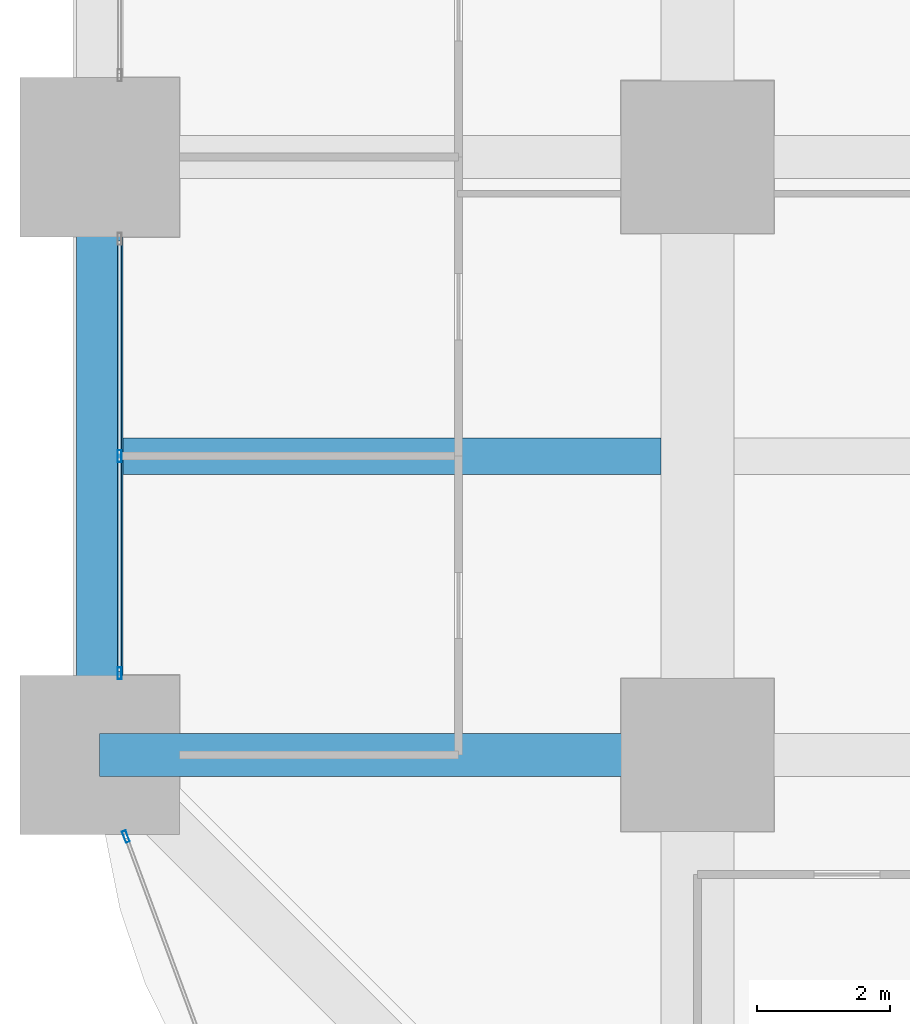
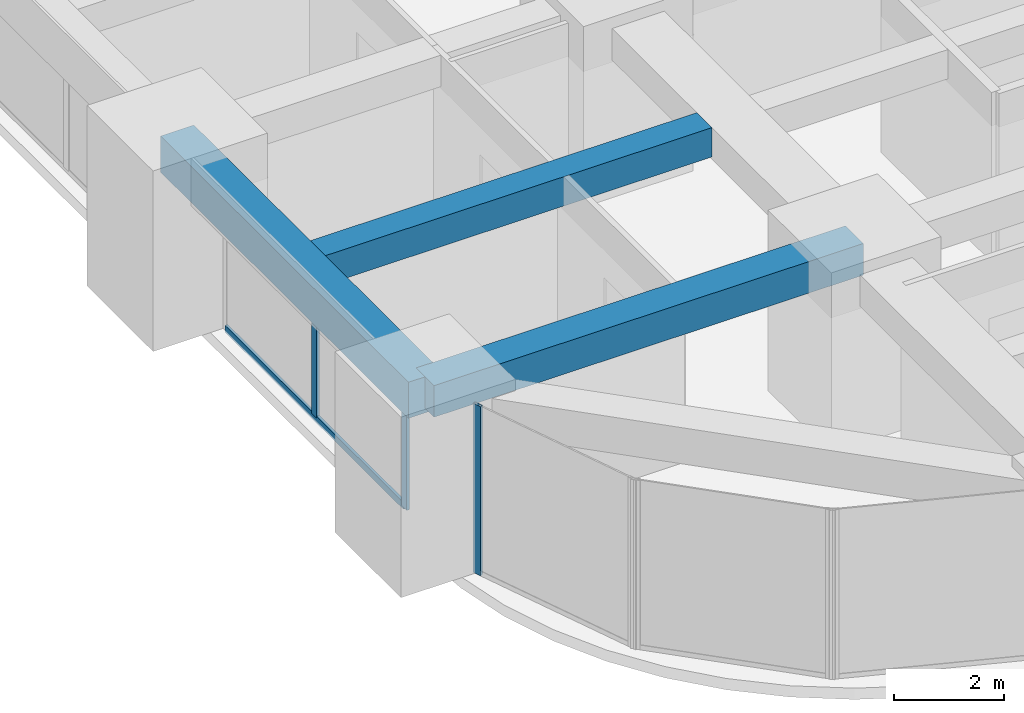
# One storey, part 4 of 44: 4 members, 3 beams, 2 elements without a shape of their own.
"""IFC4 building model written with IfcOpenShell, lengths in metres."""

from ifc_helpers import new_model, si_unit, direction, frame, origin, origin_2d, place, context, subcontext, project, spatial, rectangle, hollow_rectangle, extrude, material, material_profile, profile_set, type_object, element, aggregate, save


model = new_model("IFC4")

# Units and contexts
model_context = context("Model", 3, precision=1e-05, world=origin(), true_north=direction((0.0, 1.0)))
body_context = subcontext(model_context, "Body", "Model", "MODEL_VIEW")
ifc_project = project(units=[si_unit("LENGTHUNIT", "METRE"), si_unit("AREAUNIT", "SQUARE_METRE"), si_unit("VOLUMEUNIT", "CUBIC_METRE"), si_unit("PLANEANGLEUNIT", "RADIAN"), si_unit("MASSUNIT", "GRAM", prefix="KILO")], contexts=[model_context])

# Site, building, storey
site_placement = place(None, origin())
site = spatial("IfcSite", under=ifc_project, at=site_placement, CompositionType="ELEMENT")
building_placement = place(site_placement, origin())
building = spatial("IfcBuilding", under=site, at=building_placement, Name="Zorevar Civic Tower", CompositionType="ELEMENT")
storey_placement = place(building_placement, frame((0.0, 0.0, 31.800048828125)))
storey = spatial("IfcBuildingStorey", under=building, at=storey_placement, Name="L07", CompositionType="ELEMENT", Elevation=31.800048828125)

# Beams
ifc_material_1 = material(Name="Concrete C50/60", Category="concrete")
ifc_material_profile_1 = material_profile(ifc_material_1, rectangle(XDim=0.550048828125, YDim=0.64990234375, at=origin_2d()), Name="RC 550x650")
ifc_profile_set_1 = profile_set([ifc_material_profile_1], Name="Concrete C50/60")
beam_type_1 = type_object("IfcBeamType", Name="Beam RC 550x650", PredefinedType="BEAM", material=ifc_profile_set_1)
beam_1_placement = place(storey_placement, frame((0.35009765625, 13.5, 3.425048828125), z_axis=(1.0, 0.0, 0.0), x_axis=(0.0, 1.0, 0.0)))
element("IfcBeam", 1, at=beam_1_placement, inside=storey, type_object=beam_type_1, Name="Secondary beam L08", PredefinedType="BEAM", context=body_context, shape_type="SweptSolid", body=[
    extrude(rectangle(XDim=0.550048828125, YDim=0.64990234375, at=origin_2d()), origin(), (0.0, 0.0, 1.0), 8.099853515625),
])
ifc_material_2 = material(Name="Concrete C50/60", Category="concrete")
ifc_material_profile_2 = material_profile(ifc_material_2, rectangle(XDim=0.64990234375, YDim=0.699951171875, at=origin_2d()), Name="RC 650x700")
ifc_profile_set_2 = profile_set([ifc_material_profile_2], Name="Concrete C50/60")
beam_type_2 = type_object("IfcBeamType", Name="Beam RC 650x700", PredefinedType="BEAM", material=ifc_profile_set_2)
beam_2_placement = place(storey_placement, frame((0.0, 9.0, 3.39990234375), z_axis=(1.0, 0.0, 0.0), x_axis=(0.0, 1.0, 0.0)))
element("IfcBeam", 2, at=beam_2_placement, inside=storey, type_object=beam_type_2, Name="Girder L08", PredefinedType="BEAM", context=body_context, shape_type="SweptSolid", body=[
    extrude(rectangle(XDim=0.64990234375, YDim=0.699951171875, at=origin_2d()), origin(), (0.0, 0.0, 1.0), 9.0),
])

# Curtain wall, members
ifc_material_3 = material(Name="Dark grey solar-control glass in black aluminium frame", Category="aluminium")
curtain_wall_type = type_object("IfcCurtainWallType", Name="Curtain wall CW2 low zone", PredefinedType="NOTDEFINED", material=ifc_material_3)
curtain_wall_1_placement = place(storey_placement, origin())
curtain_wall_1 = element("IfcCurtainWall", 3, at=curtain_wall_1_placement, inside=storey, type_object=curtain_wall_type, Name="CW2 L07", PredefinedType="NOTDEFINED")
ifc_material_4 = material(Name="Aluminium, black anodised", Category="aluminium")
ifc_material_profile_3 = material_profile(ifc_material_4, hollow_rectangle(XDim=0.06005859375, YDim=0.179931640625, WallThickness=0.00390625, at=origin_2d()), Name="AL 180x60x4")
ifc_profile_set_3 = profile_set([ifc_material_profile_3], Name="Aluminium, black anodised")
member_type_1 = type_object("IfcMemberType", Name="CW2 mullion AL 180x60x4", PredefinedType="MULLION", material=ifc_profile_set_3)
member_1_placement = place(storey_placement, frame((0.300048828125, 10.22998046875, 0.0), z_axis=(0.0, 0.0, 1.0), x_axis=(-1.0, 0.0, 0.0)))
member_1 = element("IfcMember", 4, at=member_1_placement, type_object=member_type_1, Name="CW2 mullion 1", PredefinedType="MULLION", context=body_context, shape_type="SweptSolid", body=[
    extrude(hollow_rectangle(XDim=0.06005859375, YDim=0.179931640625, WallThickness=0.00390625, at=origin_2d()), origin(), (0.0, 0.0, 1.0), 2.949951171875),
])
member_2_placement = place(storey_placement, frame((0.300048828125, 13.5, 0.06005859375), z_axis=(0.0, 0.0, 1.0), x_axis=(-1.0, 0.0, 0.0)))
member_2 = element("IfcMember", 5, at=member_2_placement, type_object=member_type_1, Name="CW2 mullion 2", PredefinedType="MULLION", context=body_context, shape_type="SweptSolid", body=[
    extrude(hollow_rectangle(XDim=0.06005859375, YDim=0.179931640625, WallThickness=0.00390625, at=origin_2d()), origin(), (0.0, 0.0, 1.0), 2.889892578125),
])

# Curtain wall, member
curtain_wall_2_placement = place(storey_placement, origin())
curtain_wall_2 = element("IfcCurtainWall", 6, at=curtain_wall_2_placement, inside=storey, type_object=curtain_wall_type, Name="CW2 L07", PredefinedType="NOTDEFINED")
member_3_placement = place(storey_placement, frame((0.3935546875, 7.77197265625, 0.0), z_axis=(0.0, 0.0, 1.0), x_axis=(0.937974588163, 0.346704012033, 0.0)))
member_3 = element("IfcMember", 7, at=member_3_placement, type_object=member_type_1, Name="CW2 mullion 1", PredefinedType="MULLION", context=body_context, shape_type="SweptSolid", body=[
    extrude(hollow_rectangle(XDim=0.06005859375, YDim=0.179931640625, WallThickness=0.00390625, at=origin_2d()), origin(), (0.0, 0.0, 1.0), 3.75),
])
aggregate(curtain_wall_2, [member_3])

# Member
ifc_material_5 = material(Name="Aluminium, black anodised", Category="aluminium")
ifc_material_profile_4 = material_profile(ifc_material_5, hollow_rectangle(XDim=0.06005859375, YDim=0.14990234375, WallThickness=0.00390625, at=origin_2d()), Name="AL 150x60x4")
ifc_profile_set_4 = profile_set([ifc_material_profile_4], Name="Aluminium, black anodised")
member_type_2 = type_object("IfcMemberType", Name="CW2 transom AL 150x60x4", PredefinedType="USERDEFINED", material=ifc_profile_set_4)
member_4_placement = place(storey_placement, frame((0.300048828125, 10.260009765625, 0.030029296875), z_axis=(0.0, 1.0, 0.0), x_axis=(-1.0, 0.0, 0.0)))
member_4 = element("IfcMember", 8, at=member_4_placement, type_object=member_type_2, Name="CW2 sill transom", ObjectType="TRANSOM", PredefinedType="USERDEFINED", context=body_context, shape_type="SweptSolid", body=[
    extrude(hollow_rectangle(XDim=0.06005859375, YDim=0.14990234375, WallThickness=0.00390625, at=origin_2d()), origin(), (0.0, 0.0, 1.0), 6.47998046875),
])

aggregate(curtain_wall_1, [member_1, member_2, member_4])

# Beam
ifc_material_6 = material(Name="Concrete C50/60", Category="concrete")
ifc_material_profile_5 = material_profile(ifc_material_6, rectangle(XDim=0.699951171875, YDim=0.800048828125, at=origin_2d()), Name="RC 700x800")
ifc_profile_set_5 = profile_set([ifc_material_profile_5], Name="Concrete C50/60")
beam_type_3 = type_object("IfcBeamType", Name="Edge beam RC 700x800", PredefinedType="SPANDREL", material=ifc_profile_set_5)
beam_3_placement = place(storey_placement, frame((0.0, 9.0, 3.349853515625), z_axis=(0.0, 1.0, 0.0), x_axis=(-1.0, 0.0, 0.0)))
element("IfcBeam", 9, at=beam_3_placement, inside=storey, type_object=beam_type_3, Name="Edge beam L08", PredefinedType="SPANDREL", context=body_context, shape_type="SweptSolid", body=[
    extrude(rectangle(XDim=0.699951171875, YDim=0.800048828125, at=origin_2d()), origin(), (0.0, 0.0, 1.0), 9.0),
])

save(model, "model.ifc")
